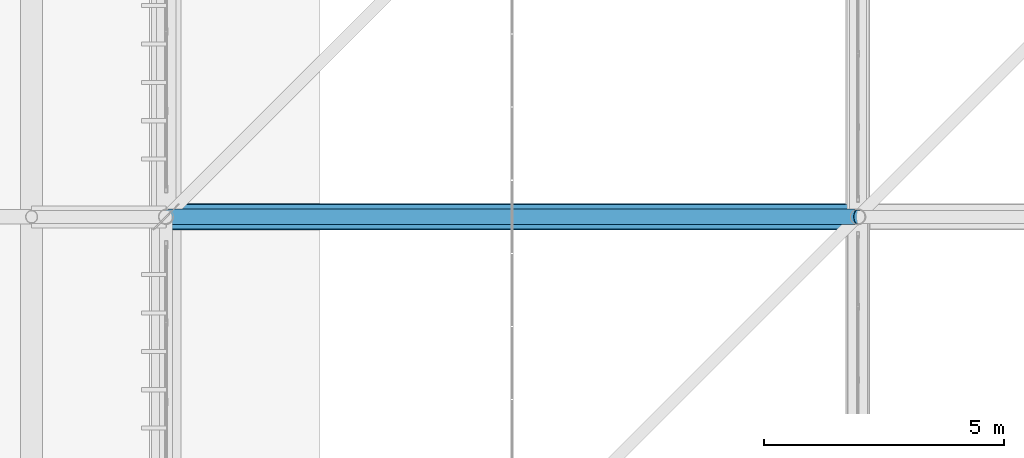
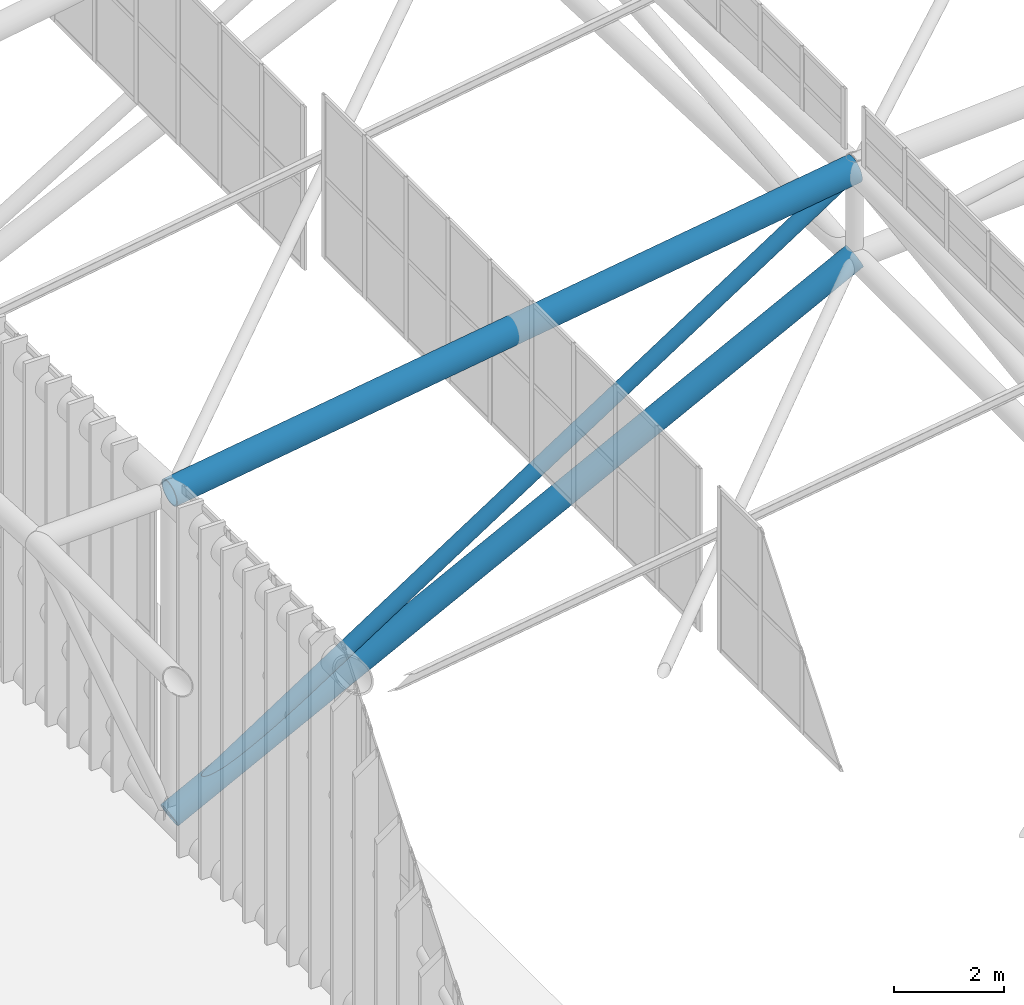
# One storey, part 184 of 397: 2 beams, 1 member.
"""IFC4 building model written with IfcOpenShell, lengths in metres."""

from ifc_helpers import new_model, si_unit, direction, frame, origin, origin_2d, place, context, subcontext, project, spatial, hollow_circle, extrude, material, material_profile, profile_set, type_object, element, save


model = new_model("IFC4")

# Units and contexts
model_context = context("Model", 3, precision=1e-05, world=origin(), true_north=direction((0.0, 1.0)))
body_context = subcontext(model_context, "Body", "Model", "MODEL_VIEW")
ifc_project = project(units=[si_unit("LENGTHUNIT", "METRE"), si_unit("AREAUNIT", "SQUARE_METRE"), si_unit("VOLUMEUNIT", "CUBIC_METRE"), si_unit("PLANEANGLEUNIT", "RADIAN"), si_unit("MASSUNIT", "GRAM", prefix="KILO")], contexts=[model_context])

# Site, building, storey
site_placement = place(None, origin())
site = spatial("IfcSite", under=ifc_project, at=site_placement, CompositionType="ELEMENT")
building_placement = place(site_placement, origin())
building = spatial("IfcBuilding", under=site, at=building_placement, Name="Qandorah Velis Arena", CompositionType="ELEMENT")
storey_placement = place(building_placement, frame((0.0, 0.0, 27.5)))
storey = spatial("IfcBuildingStorey", under=building, at=storey_placement, Name="RF", CompositionType="ELEMENT", Elevation=27.5)

# Beams
ifc_material = material(Name="Steel S355", Category="steel")
ifc_material_profile_1 = material_profile(ifc_material, hollow_circle(Radius=0.25390625, WallThickness=0.02490234375, at=origin_2d()), Name="CHS 508x25")
ifc_profile_set_1 = profile_set([ifc_material_profile_1], Name="Steel S355")
beam_type_1 = type_object("IfcBeamType", Name="STR-SFC-CHS508X25", PredefinedType="USERDEFINED", material=ifc_profile_set_1)
beam_1_placement = place(storey_placement, frame((14.39990234375, 72.0, 0.10009765625), z_axis=(0.889858454818, 0.0, 0.456236704341), x_axis=(0.0, 1.0, 0.0)))
element("IfcBeam", 1, at=beam_1_placement, inside=storey, type_object=beam_type_1, Name="Space frame roof truss bottom chord X 0.4", ObjectType="ROOF TRUSS", PredefinedType="USERDEFINED", context=body_context, shape_type="SweptSolid", body=[
    extrude(hollow_circle(Radius=0.25390625, WallThickness=0.02490234375, at=origin_2d()), origin(), (0.0, 0.0, 1.0), 16.1826171875),
])
ifc_material_profile_2 = material_profile(ifc_material, hollow_circle(Radius=0.279541015625, WallThickness=0.02490234375, at=origin_2d()), Name="CHS 559x25")
ifc_profile_set_2 = profile_set([ifc_material_profile_2], Name="Steel S355")
beam_type_2 = type_object("IfcBeamType", Name="STR-SFC-CHS559X25", PredefinedType="USERDEFINED", material=ifc_profile_set_2)
beam_2_placement = place(storey_placement, frame((14.39990234375, 72.0, 7.2705078125), z_axis=(0.988910389344, 0.0, 0.148513439954), x_axis=(0.0, 1.0, 0.0)))
element("IfcBeam", 2, at=beam_2_placement, inside=storey, type_object=beam_type_2, Name="Space frame roof truss top chord X 0.4", ObjectType="ROOF TRUSS", PredefinedType="USERDEFINED", context=body_context, shape_type="SweptSolid", body=[
    extrude(hollow_circle(Radius=0.279541015625, WallThickness=0.02490234375, at=origin_2d()), origin(), (0.0, 0.0, 1.0), 14.5615234375),
])

# Member
ifc_material_profile_3 = material_profile(ifc_material, hollow_circle(Radius=0.161865234375, WallThickness=0.01611328125, at=origin_2d()), Name="CHS 323.9x16")
ifc_profile_set_3 = profile_set([ifc_material_profile_3], Name="Steel S355")
member_type = type_object("IfcMemberType", Name="STR-SFD-CHS323X16", PredefinedType="CHORD", material=ifc_profile_set_3)
member_placement = place(storey_placement, frame((14.39990234375, 72.0, 0.10009765625), z_axis=(0.839164169573, 0.0, 0.543878200065), x_axis=(0.0, 1.0, 0.0)))
element("IfcMember", 3, at=member_placement, inside=storey, type_object=member_type, Name="Space frame roof diagonal X 0.4", PredefinedType="CHORD", context=body_context, shape_type="SweptSolid", body=[
    extrude(hollow_circle(Radius=0.161865234375, WallThickness=0.01611328125, at=origin_2d()), origin(), (0.0, 0.0, 1.0), 17.16015625),
])

save(model, "model.ifc")
